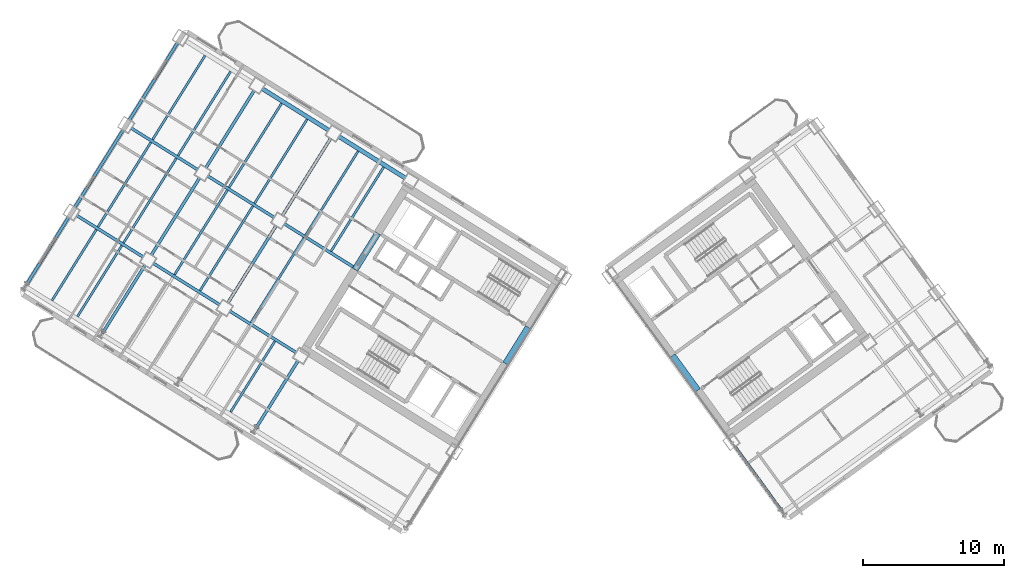
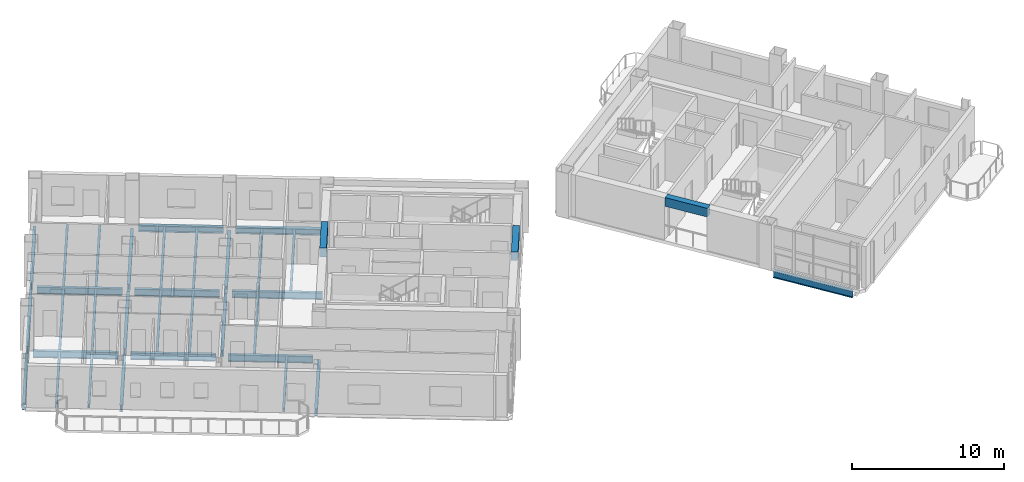
# One storey, part 7 of 18: 35 beams.
"""IFC4 building model written with IfcOpenShell, lengths in metres."""

import ifcopenshell
import ifcopenshell.guid

model = None  # the IFC model being written
_history = None  # IfcOwnerHistory: only IFC2X3 demands one
_inside = {}  # id of a spatial element -> (the spatial element, [elements in it])
_under = {}  # id of a project, library or spatial element -> (it, [spatial elements below it])
_declared = {}  # id of a project -> (the project, [libraries it declares])
_typed = {}  # id of a type object -> (the type object, [elements of that type])
_made_of = {}  # id of a material, layer set ... -> (it, [elements and type objects made of it])


def new_model(schema):
    """Start an empty IFC model of exactly this schema.

    Asked for "IFC4X3", IfcOpenShell would pick the latest addendum, in which some entities
    have other attributes; the version numbers below select the first issue.
    IFC2X3 requires an IfcOwnerHistory on every rooted entity: one is made here for all.
    """
    global model, _history
    if schema == "IFC4X3":
        model = ifcopenshell.file(schema_version=(4, 3, 0, 0))
    else:
        model = ifcopenshell.file(schema=schema)
    _inside.clear()
    _under.clear()
    _declared.clear()
    _typed.clear()
    _made_of.clear()
    _history = None
    if model.schema == "IFC2X3":
        org = make("IfcOrganization", Name="unknown")
        user = make(
            "IfcPersonAndOrganization",
            ThePerson=make("IfcPerson", FamilyName="unknown"),
            TheOrganization=org,
        )
        app = make(
            "IfcApplication",
            ApplicationDeveloper=org,
            Version="unknown",
            ApplicationFullName="unknown",
            ApplicationIdentifier="unknown",
        )
        _history = make(
            "IfcOwnerHistory",
            OwningUser=user,
            OwningApplication=app,
            ChangeAction="ADDED",
            CreationDate=0,
        )
    return model


def make(cls, **values):
    """One entity of the class cls with the attributes given. An attribute that is None is left unset."""
    return model.create_entity(
        cls, **{name: value for name, value in values.items() if value is not None}
    )


def rooted(cls, **values):
    """An entity with a GlobalId (a new one), such as an element, a storey or a relation."""
    return make(cls, GlobalId=ifcopenshell.guid.new(), OwnerHistory=_history, **values)


def si_unit(unit_type, name, prefix=None):
    """IfcSIUnit, for example si_unit("LENGTHUNIT", "METRE", prefix="MILLI")."""
    return make("IfcSIUnit", UnitType=unit_type, Prefix=prefix, Name=name)


def assignment(units):
    """IfcUnitAssignment: the units of a project."""
    return None if units is None else make("IfcUnitAssignment", Units=units)


def point(xyz):
    """IfcCartesianPoint."""
    return None if xyz is None else make("IfcCartesianPoint", Coordinates=xyz)


def direction(xyz):
    """IfcDirection."""
    return None if xyz is None else make("IfcDirection", DirectionRatios=xyz)


def frame(location, z_axis=None, x_axis=None):
    """IfcAxis2Placement3D, a coordinate frame: its origin and axes. An axis left out is left unset."""
    return make(
        "IfcAxis2Placement3D",
        Location=point(location),
        Axis=direction(z_axis),
        RefDirection=direction(x_axis),
    )


def frame_2d(location, x_axis=None):
    """IfcAxis2Placement2D, a coordinate frame in the plane: its origin and x axis."""
    return make(
        "IfcAxis2Placement2D", Location=point(location), RefDirection=direction(x_axis)
    )


def origin():
    """The frame at (0, 0, 0) with its axes left unset."""
    return frame((0.0, 0.0, 0.0))


def origin_2d():
    """The frame at (0, 0) in the plane with its x axis left unset."""
    return frame_2d((0.0, 0.0))


def place(relative_to, where):
    """IfcLocalPlacement: puts the frame where relative to a parent placement (None: the world)."""
    return make(
        "IfcLocalPlacement", PlacementRelTo=relative_to, RelativePlacement=where
    )


def context(
    kind, dimensions, precision=None, world=None, true_north=None, identifier=None
):
    """IfcGeometricRepresentationContext, for example the 3D "Model" context."""
    return make(
        "IfcGeometricRepresentationContext",
        ContextIdentifier=identifier,
        ContextType=kind,
        CoordinateSpaceDimension=dimensions,
        Precision=precision,
        WorldCoordinateSystem=world,
        TrueNorth=true_north,
    )


def subcontext(parent, identifier, kind, view, scale=None):
    """IfcGeometricRepresentationSubContext, for example "Body" below "Model"."""
    return make(
        "IfcGeometricRepresentationSubContext",
        ContextIdentifier=identifier,
        ContextType=kind,
        ParentContext=parent,
        TargetScale=scale,
        TargetView=view,
    )


def project(units=None, contexts=None):
    """IfcProject with its units and contexts."""
    return rooted(
        "IfcProject",
        Name="project",
        RepresentationContexts=contexts,
        UnitsInContext=assignment(units),
    )


def spatial(cls, under=None, at=None, **own):
    """A site, building, storey or space (cls), placed at a placement, below another one or the project."""
    s = rooted(cls, ObjectPlacement=at, **own)
    if under is not None:
        _under.setdefault(under.id(), (under, []))[1].append(s)
    return s


def profile(cls, at=None, kind="AREA", **sizes):
    """A parametric profile (cls). Its sizes go by their IFC names, for example OverallWidth=200.0."""
    return make(cls, ProfileType=kind, Position=at, **sizes)


def rectangle(**sizes):
    """IfcRectangleProfileDef."""
    return profile("IfcRectangleProfileDef", **sizes)


def i_section(**sizes):
    """IfcIShapeProfileDef."""
    return profile("IfcIShapeProfileDef", **sizes)


def extrude(swept, where, along, depth):
    """IfcExtrudedAreaSolid: the profile swept, set in the frame where, extruded along a direction by depth."""
    return make(
        "IfcExtrudedAreaSolid",
        SweptArea=swept,
        Position=where,
        ExtrudedDirection=direction(along),
        Depth=depth,
    )


def shape(context_of_items, identifier, shape_type, items):
    """IfcShapeRepresentation: the items that make up one representation, for example the "Body"."""
    return make(
        "IfcShapeRepresentation",
        ContextOfItems=context_of_items,
        RepresentationIdentifier=identifier,
        RepresentationType=shape_type,
        Items=items,
    )


def source(mapping_origin, context_of_items, identifier, shape_type, items):
    """IfcRepresentationMap: a shape defined once, which mapped items show again and again."""
    return make(
        "IfcRepresentationMap",
        MappingOrigin=mapping_origin,
        MappedRepresentation=shape(context_of_items, identifier, shape_type, items),
    )


def transform(
    local_origin,
    x_axis=None,
    y_axis=None,
    z_axis=None,
    scale=None,
    scale2=None,
    scale3=None,
    uniform=True,
):
    """IfcCartesianTransformationOperator3D, or its non-uniform kind. x_axis, y_axis, z_axis: its Axis1, 2, 3."""
    if uniform:
        return make(
            "IfcCartesianTransformationOperator3D",
            Axis1=direction(x_axis),
            Axis2=direction(y_axis),
            LocalOrigin=point(local_origin),
            Scale=scale,
            Axis3=direction(z_axis),
        )
    return make(
        "IfcCartesianTransformationOperator3DnonUniform",
        Axis1=direction(x_axis),
        Axis2=direction(y_axis),
        LocalOrigin=point(local_origin),
        Scale=scale,
        Axis3=direction(z_axis),
        Scale2=scale2,
        Scale3=scale3,
    )


def mapped(mapping_source, mapping_target):
    """IfcMappedItem: shows the shape of a source again, moved by a transform."""
    return make(
        "IfcMappedItem", MappingSource=mapping_source, MappingTarget=mapping_target
    )


def material(Name=None, Category=None):
    """IfcMaterial."""
    return make("IfcMaterial", Name=Name, Category=Category)


def material_profile(
    of_material, cross_section, Name=None, Category=None, Priority=None
):
    """IfcMaterialProfile: a cross section and its material."""
    return make(
        "IfcMaterialProfile",
        Name=Name,
        Material=of_material,
        Profile=cross_section,
        Priority=Priority,
        Category=Category,
    )


def profile_set(profiles, Name=None, composite=None):
    """IfcMaterialProfileSet."""
    return make(
        "IfcMaterialProfileSet",
        Name=Name,
        MaterialProfiles=profiles,
        CompositeProfile=composite,
    )


def made_of(thing, what):
    """Note that an element or type object is made of a material, layer set ...; save() writes the relation."""
    if what is not None:
        _made_of.setdefault(what.id(), (what, []))[1].append(thing)
    return thing


def type_object(cls, material=None, **own):
    """A type object (cls), such as IfcWallType, which elements share."""
    return made_of(rooted(cls, **own), material)


def element(
    cls,
    number,
    at=None,
    inside=None,
    cuts=None,
    type_object=None,
    material=None,
    context=None,
    identifier="Body",
    shape_type=None,
    held_by="IfcProductDefinitionShape",
    body=None,
    shapes=None,
    **own,
):
    """One element of the class cls, such as IfcWall. Its Tag is "e" and its number.

    at: its placement. inside: the storey or other place that contains it. cuts: it is an
    opening in that element (IfcRelVoidsElement). A single representation is given by context,
    identifier, shape_type and body (its items); several are given by shapes. held_by: the class
    of the entity that holds the representations. save() writes the other relations.
    """
    e = rooted(cls, Tag="e%d" % number, ObjectPlacement=at, **own)
    if body is not None:
        shapes = [shape(context, identifier, shape_type, body)]
    if shapes is not None:
        e.Representation = make(held_by, Representations=shapes)
    if inside is not None:
        _inside.setdefault(inside.id(), (inside, []))[1].append(e)
    if cuts is not None:
        rooted(
            "IfcRelVoidsElement", RelatingBuildingElement=cuts, RelatedOpeningElement=e
        )
    if type_object is not None:
        _typed.setdefault(type_object.id(), (type_object, []))[1].append(e)
    return made_of(e, material)


def aggregate(whole, parts):
    """IfcRelAggregates: a whole, such as a stair, and the parts it consists of."""
    return rooted("IfcRelAggregates", RelatingObject=whole, RelatedObjects=parts)


def save(model, path):
    """Write the relations noted so far, then the file.

    IfcRelAggregates (storeys below a building ...), IfcRelContainedInSpatialStructure (elements
    in a storey), IfcRelDefinesByType, IfcRelAssociatesMaterial and IfcRelDeclares: one each for
    every whole, place, type object, material and project.
    """
    for whole, parts in _under.values():
        aggregate(whole, parts)
    for where, things in _inside.values():
        rooted(
            "IfcRelContainedInSpatialStructure",
            RelatedElements=things,
            RelatingStructure=where,
        )
    for kind, things in _typed.values():
        rooted("IfcRelDefinesByType", RelatedObjects=things, RelatingType=kind)
    for what, things in _made_of.values():
        rooted("IfcRelAssociatesMaterial", RelatedObjects=things, RelatingMaterial=what)
    for by, libraries in _declared.values():
        rooted("IfcRelDeclares", RelatingContext=by, RelatedDefinitions=libraries)
    model.write(path)


model = new_model("IFC4")

# Units and contexts
model_context = context("Model", 3, precision=1e-05, world=origin(), true_north=direction((0.0, 1.0)))
body_context = subcontext(model_context, "Body", "Model", "MODEL_VIEW")
ifc_project = project(units=[si_unit("LENGTHUNIT", "METRE"), si_unit("AREAUNIT", "SQUARE_METRE"), si_unit("VOLUMEUNIT", "CUBIC_METRE"), si_unit("PLANEANGLEUNIT", "RADIAN"), si_unit("MASSUNIT", "GRAM", prefix="KILO")], contexts=[model_context])

# Site, building, storey
site_placement = place(None, origin())
site = spatial("IfcSite", under=ifc_project, at=site_placement, CompositionType="ELEMENT")
building_placement = place(site_placement, origin())
building = spatial("IfcBuilding", under=site, at=building_placement, Name="Tlacorven Tower", CompositionType="ELEMENT")
storey_placement = place(building_placement, frame((0.0, 0.0, 140.699951171875)))
storey = spatial("IfcBuildingStorey", under=building, at=storey_placement, Name="L35", CompositionType="ELEMENT", Elevation=140.699951171875)

# Beams
ifc_material_1 = material(Name="Concrete C60/75", Category="concrete")
ifc_material_profile_1 = material_profile(ifc_material_1, rectangle(XDim=0.449951171875, YDim=0.699951171875, at=origin_2d()), Name="RC 450X700")
ifc_profile_set_1 = profile_set([ifc_material_profile_1], Name="Concrete C60/75")
beam_type_1 = type_object("IfcBeamType", Name="BM-LNT-700", PredefinedType="LINTEL", material=ifc_profile_set_1)
shared_shape_1 = source(origin(), body_context, "Body", "SweptSolid", [
    extrude(rectangle(XDim=0.449951171875, YDim=0.699951171875, at=origin_2d()), origin(), (0.0, 0.0, 1.0), 3.050048828125),
])
for number, where, z_axis, x_axis, name in (
    (1, (38.2998046875, 20.890625, 3.0), (-0.529984549635, -0.848007297815, 0.0), (0.848007297815, -0.529984549635, 0.0), "L35 W core coupling lintel beam E1"),
    (2, (50.318359375, 16.416015625, 3.0), (-0.587776590479, 0.80902328748, 0.0), (-0.80902328748, -0.587776590479, 0.0), "L35 E core coupling lintel beam E1"),
):
    element("IfcBeam", number, at=place(storey_placement, frame(where, z_axis=z_axis, x_axis=x_axis)), inside=storey, type_object=beam_type_1, Name=name, PredefinedType="LINTEL", context=body_context, shape_type="MappedRepresentation", body=[
        mapped(shared_shape_1, transform((0.0, 0.0, 0.0), scale=1.0)),
    ])
shared_shape_2 = source(origin(), body_context, "Body", "SweptSolid", [
    extrude(rectangle(XDim=0.449951171875, YDim=0.699951171875, at=origin_2d()), origin(), (0.0, 0.0, 1.0), 3.0498046875),
])
beam_1_placement = place(storey_placement, frame((27.622802734375, 27.562255859375, 3.0), z_axis=(-0.529926983584, -0.848043272522, 0.0), x_axis=(0.848043272522, -0.529926983584, 0.0)))
element("IfcBeam", 3, at=beam_1_placement, inside=storey, type_object=beam_type_1, Name="L35 W core coupling lintel beam E2", PredefinedType="LINTEL", context=body_context, shape_type="MappedRepresentation", body=[
    mapped(shared_shape_2, transform((0.0, 0.0, 0.0), scale=1.0)),
])
ifc_material_2 = material(Name="Steel S355J2", Category="steel")
ifc_material_profile_2 = material_profile(ifc_material_2, i_section(OverallWidth=0.2099609375, OverallDepth=0.550048828125, WebThickness=0.010986328125, FlangeThickness=0.01708984375, at=origin_2d()), Name="IPE 550")
ifc_profile_set_2 = profile_set([ifc_material_profile_2], Name="Steel S355J2")
beam_type_2 = type_object("IfcBeamType", Name="BM-TWR-550", PredefinedType="BEAM", material=ifc_profile_set_2)
shared_shape_3 = source(origin(), body_context, "Body", "SweptSolid", [
    extrude(i_section(OverallWidth=0.2099609375, OverallDepth=0.550048828125, WebThickness=0.010986328125, FlangeThickness=0.01708984375, at=origin_2d()), origin(), (0.0, 0.0, 1.0), 5.599853515625),
])
for number, where, z_axis, x_axis, name in (
    (4, (20.292724609375, 28.6640625, -0.52490234375), (-0.848047285686, 0.529920561254, 0.0), (-0.529920561254, -0.848047285686, 0.0), "L35 beam BM-L35-WL2-4"),
    (5, (21.851806640625, 19.081787109375, -0.52490234375), (-0.848047285686, 0.529920561254, 0.0), (-0.529920561254, -0.848047285686, 0.0), "L35 beam BM-L35-WL3-3"),
    (6, (16.42431640625, 22.473388671875, -0.52490234375), (-0.848047285686, 0.529920561254, 0.0), (-0.529920561254, -0.848047285686, 0.0), "L35 beam BM-L35-WL3-4"),
    (7, (10.996826171875, 25.86474609375, -0.52490234375), (-0.848047285686, 0.529920561254, 0.0), (-0.529920561254, -0.848047285686, 0.0), "L35 beam BM-L35-WL3-5"),
):
    element("IfcBeam", number, at=place(storey_placement, frame(where, z_axis=z_axis, x_axis=x_axis)), inside=storey, type_object=beam_type_2, Name=name, PredefinedType="BEAM", context=body_context, shape_type="MappedRepresentation", body=[
        mapped(shared_shape_3, transform((0.0, 0.0, 0.0), scale=1.0)),
    ])
shared_shape_4 = source(origin(), body_context, "Body", "SweptSolid", [
    extrude(i_section(OverallWidth=0.2099609375, OverallDepth=0.550048828125, WebThickness=0.010986328125, FlangeThickness=0.01708984375, at=origin_2d()), origin(), (0.0, 0.0, 1.0), 5.960205078125),
])
beam_2_placement = place(storey_placement, frame((26.025634765625, 25.081787109375, -0.52490234375), z_axis=(-0.848042024898, 0.529928980153, 0.0), x_axis=(-0.529928980153, -0.848042024898, 0.0)))
element("IfcBeam", 8, at=beam_2_placement, inside=storey, type_object=beam_type_2, Name="L35 beam BM-L35-WL2-3", PredefinedType="BEAM", context=body_context, shape_type="MappedRepresentation", body=[
    mapped(shared_shape_4, transform((0.0, 0.0, 0.0), scale=1.0)),
])
shared_shape_5 = source(origin(), body_context, "Body", "SweptSolid", [
    extrude(i_section(OverallWidth=0.2099609375, OverallDepth=0.550048828125, WebThickness=0.010986328125, FlangeThickness=0.01708984375, at=origin_2d()), origin(), (0.0, 0.0, 1.0), 5.60009765625),
])
beam_3_placement = place(storey_placement, frame((14.865234375, 32.055419921875, -0.52490234375), z_axis=(-0.848027693204, 0.529951914384, 0.0), x_axis=(-0.529951914384, -0.848027693204, 0.0)))
element("IfcBeam", 9, at=beam_3_placement, inside=storey, type_object=beam_type_2, Name="L35 beam BM-L35-WL2-5", PredefinedType="BEAM", context=body_context, shape_type="MappedRepresentation", body=[
    mapped(shared_shape_5, transform((0.0, 0.0, 0.0), scale=1.0)),
])
ifc_material_profile_3 = material_profile(ifc_material_2, i_section(OverallWidth=0.300048828125, OverallDepth=0.489990234375, WebThickness=0.011962890625, FlangeThickness=0.02294921875, at=origin_2d()), Name="HEA 500")
ifc_profile_set_3 = profile_set([ifc_material_profile_3], Name="Steel S355J2")
beam_type_3 = type_object("IfcBeamType", Name="BM-SPN-500", PredefinedType="SPANDREL", material=ifc_profile_set_3)
shared_shape_6 = source(origin(), body_context, "Body", "SweptSolid", [
    extrude(i_section(OverallWidth=0.300048828125, OverallDepth=0.489990234375, WebThickness=0.011962890625, FlangeThickness=0.02294921875, at=origin_2d()), origin(), (0.0, 0.0, 1.0), 5.599853515625),
])
for number, where, z_axis, x_axis, name in (
    (10, (29.588623046875, 31.46337890625, -0.494873046875), (-0.848047285686, 0.529920561254, 0.0), (-0.529920561254, -0.848047285686, 0.0), "L35 beam BM-L35-WL1-3"),
    (11, (24.1611328125, 34.854736328125, -0.494873046875), (-0.848047285686, 0.529920561254, 0.0), (-0.529920561254, -0.848047285686, 0.0), "L35 beam BM-L35-WL1-4"),
):
    element("IfcBeam", number, at=place(storey_placement, frame(where, z_axis=z_axis, x_axis=x_axis)), inside=storey, type_object=beam_type_3, Name=name, PredefinedType="SPANDREL", context=body_context, shape_type="MappedRepresentation", body=[
        mapped(shared_shape_6, transform((0.0, 0.0, 0.0), scale=1.0)),
    ])
shared_shape_7 = source(origin(), body_context, "Body", "SweptSolid", [
    extrude(i_section(OverallWidth=0.2099609375, OverallDepth=0.550048828125, WebThickness=0.010986328125, FlangeThickness=0.01708984375, at=origin_2d()), origin(), (0.0, 0.0, 1.0), 5.7001953125),
])
for number, where, z_axis, x_axis, name in (
    (12, (11.1240234375, 25.313720703125, -0.52490234375), (-0.529906537151, -0.848056048787, 0.0), (0.848056048787, -0.529906537151, 0.0), "L35 beam BM-L35-WT5-3"),
    (13, (5.696533203125, 28.705078125, -0.52490234375), (-0.529906537151, -0.848056048787, 0.0), (0.848056048787, -0.529906537151, 0.0), "L35 beam BM-L35-WT6-3"),
):
    element("IfcBeam", number, at=place(storey_placement, frame(where, z_axis=z_axis, x_axis=x_axis)), inside=storey, type_object=beam_type_2, Name=name, PredefinedType="BEAM", context=body_context, shape_type="MappedRepresentation", body=[
        mapped(shared_shape_7, transform((0.0, 0.0, 0.0), scale=1.0)),
    ])
shared_shape_8 = source(origin(), body_context, "Body", "SweptSolid", [
    extrude(i_section(OverallWidth=0.2099609375, OverallDepth=0.550048828125, WebThickness=0.010986328125, FlangeThickness=0.01708984375, at=origin_2d()), origin(), (0.0, 0.0, 1.0), 5.699951171875),
])
for number, where, z_axis, x_axis, name in (
    (14, (21.979248046875, 18.530517578125, -0.52490234375), (-0.5299565889, -0.848024771974, 0.0), (0.848024771974, -0.5299565889, 0.0), "L35 beam BM-L35-WT3-2"),
    (15, (56.291015625, 7.83837890625, -0.52490234375), (-0.587815099892, 0.808995307983, 0.0), (-0.808995307983, -0.587815099892, 0.0), "L35 beam BM-L35-ET1-1"),
):
    element("IfcBeam", number, at=place(storey_placement, frame(where, z_axis=z_axis, x_axis=x_axis)), inside=storey, type_object=beam_type_2, Name=name, PredefinedType="BEAM", context=body_context, shape_type="MappedRepresentation", body=[
        mapped(shared_shape_8, transform((0.0, 0.0, 0.0), scale=1.0)),
    ])
shared_shape_9 = source(origin(), body_context, "Body", "SweptSolid", [
    extrude(i_section(OverallWidth=0.2099609375, OverallDepth=0.550048828125, WebThickness=0.010986328125, FlangeThickness=0.01708984375, at=origin_2d()), origin(), (0.0, 0.0, 1.0), 6.500244140625),
])
beam_4_placement = place(storey_placement, frame((24.28857421875, 34.3037109375, -0.52490234375), z_axis=(-0.529921287515, -0.848046831866, 0.0), x_axis=(0.848046831866, -0.529921287515, 0.0)))
element("IfcBeam", 16, at=beam_4_placement, inside=storey, type_object=beam_type_2, Name="L35 beam BM-L35-WT4-1", PredefinedType="BEAM", context=body_context, shape_type="MappedRepresentation", body=[
    mapped(shared_shape_9, transform((0.0, 0.0, 0.0), scale=1.0)),
])
shared_shape_10 = source(origin(), body_context, "Body", "SweptSolid", [
    extrude(i_section(OverallWidth=0.2099609375, OverallDepth=0.550048828125, WebThickness=0.010986328125, FlangeThickness=0.01708984375, at=origin_2d()), origin(), (0.0, 0.0, 1.0), 6.5),
])
for number, where, z_axis, x_axis, name in (
    (17, (20.420166015625, 28.11279296875, -0.52490234375), (-0.529938166933, -0.848036284146, 0.0), (0.848036284146, -0.529938166933, 0.0), "L35 beam BM-L35-WT4-2"),
    (18, (14.992431640625, 31.50439453125, -0.52490234375), (-0.529894274829, -0.848063710757, 0.0), (0.848063710757, -0.529894274829, 0.0), "L35 beam BM-L35-WT5-2"),
    (19, (13.433349609375, 41.086669921875, -0.52490234375), (-0.529894274829, -0.848063710757, 0.0), (0.848063710757, -0.529894274829, 0.0), "L35 beam BM-L35-WT6-1"),
):
    element("IfcBeam", number, at=place(storey_placement, frame(where, z_axis=z_axis, x_axis=x_axis)), inside=storey, type_object=beam_type_2, Name=name, PredefinedType="BEAM", context=body_context, shape_type="MappedRepresentation", body=[
        mapped(shared_shape_10, transform((0.0, 0.0, 0.0), scale=1.0)),
    ])
shared_shape_11 = source(origin(), body_context, "Body", "SweptSolid", [
    extrude(i_section(OverallWidth=0.2099609375, OverallDepth=0.550048828125, WebThickness=0.010986328125, FlangeThickness=0.01708984375, at=origin_2d()), origin(), (0.0, 0.0, 1.0), 6.499755859375),
])
for number, where, z_axis, x_axis, name in (
    (20, (18.86083984375, 37.695068359375, -0.52490234375), (-0.529911154058, -0.848053163902, 0.0), (0.848053163902, -0.529911154058, 0.0), "L35 beam BM-L35-WT5-1"),
    (21, (9.56494140625, 34.895751953125, -0.52490234375), (-0.529911154058, -0.848053163902, 0.0), (0.848053163902, -0.529911154058, 0.0), "L35 beam BM-L35-WT6-2"),
):
    element("IfcBeam", number, at=place(storey_placement, frame(where, z_axis=z_axis, x_axis=x_axis)), inside=storey, type_object=beam_type_2, Name=name, PredefinedType="BEAM", context=body_context, shape_type="MappedRepresentation", body=[
        mapped(shared_shape_11, transform((0.0, 0.0, 0.0), scale=1.0)),
    ])
ifc_material_profile_4 = material_profile(ifc_material_2, i_section(OverallWidth=0.159912109375, OverallDepth=0.330078125, WebThickness=0.007568359375, FlangeThickness=0.011474609375, at=origin_2d()), Name="IPE 330")
ifc_profile_set_4 = profile_set([ifc_material_profile_4], Name="Steel S355J2")
beam_type_4 = type_object("IfcBeamType", Name="BM-JST-330", PredefinedType="JOIST", material=ifc_profile_set_4)
shared_shape_12 = source(origin(), body_context, "Body", "SweptSolid", [
    extrude(i_section(OverallWidth=0.159912109375, OverallDepth=0.330078125, WebThickness=0.007568359375, FlangeThickness=0.011474609375, at=origin_2d()), origin(), (0.0, 0.0, 1.0), 5.93505859375),
])
for number, where, z_axis, x_axis, name in (
    (22, (20.32373046875, 19.906982421875, -0.4150390625), (-0.529910194899, -0.848053763238, 0.0), (0.848053763238, -0.529910194899, 0.0), "L35 beam BM-L35-WJ3-3-1"),
    (23, (9.46875, 26.68994140625, -0.4150390625), (-0.529939778535, -0.848035277053, 0.0), (0.848035277053, -0.529939778535, 0.0), "L35 beam BM-L35-WJ5-3-1"),
    (24, (7.659423828125, 27.820556640625, -0.4150390625), (-0.529910194899, -0.848053763238, 0.0), (0.848053763238, -0.529910194899, 0.0), "L35 beam BM-L35-WJ5-3-2"),
):
    element("IfcBeam", number, at=place(storey_placement, frame(where, z_axis=z_axis, x_axis=x_axis)), inside=storey, type_object=beam_type_4, Name=name, PredefinedType="JOIST", context=body_context, shape_type="MappedRepresentation", body=[
        mapped(shared_shape_12, transform((0.0, 0.0, 0.0), scale=1.0)),
    ])
shared_shape_13 = source(origin(), body_context, "Body", "SweptSolid", [
    extrude(i_section(OverallWidth=0.159912109375, OverallDepth=0.330078125, WebThickness=0.007568359375, FlangeThickness=0.011474609375, at=origin_2d()), origin(), (0.0, 0.0, 1.0), 7.080078125),
])
beam_5_placement = place(storey_placement, frame((18.7646484375, 29.4892578125, -0.4150390625), z_axis=(-0.529933847046, -0.848038983629, 0.0), x_axis=(0.848038983629, -0.529933847046, 0.0)))
element("IfcBeam", 25, at=beam_5_placement, inside=storey, type_object=beam_type_4, Name="L35 beam BM-L35-WJ4-2-1", PredefinedType="JOIST", context=body_context, shape_type="MappedRepresentation", body=[
    mapped(shared_shape_13, transform((0.0, 0.0, 0.0), scale=1.0)),
])
shared_shape_14 = source(origin(), body_context, "Body", "SweptSolid", [
    extrude(i_section(OverallWidth=0.159912109375, OverallDepth=0.330078125, WebThickness=0.007568359375, FlangeThickness=0.011474609375, at=origin_2d()), origin(), (0.0, 0.0, 1.0), 7.03515625),
])
for number, where, z_axis, x_axis, name in (
    (26, (28.03662109375, 32.25048828125, -0.4150390625), (-0.529920952588, -0.848047041153, 0.0), (0.848047041153, -0.529920952588, 0.0), "L35 beam BM-L35-WJ3-1-1"),
    (27, (26.2275390625, 33.380859375, -0.4150390625), (-0.529920952588, -0.848047041153, 0.0), (0.848047041153, -0.529920952588, 0.0), "L35 beam BM-L35-WJ3-1-2"),
    (28, (22.609130859375, 35.641845703125, -0.4150390625), (-0.529920952588, -0.848047041153, 0.0), (0.848047041153, -0.529920952588, 0.0), "L35 beam BM-L35-WJ4-1-1"),
    (29, (20.800048828125, 36.7724609375, -0.4150390625), (-0.529920952588, -0.848047041153, 0.0), (0.848047041153, -0.529920952588, 0.0), "L35 beam BM-L35-WJ4-1-2"),
    (30, (17.181640625, 39.033447265625, -0.4150390625), (-0.529920952588, -0.848047041153, 0.0), (0.848047041153, -0.529920952588, 0.0), "L35 beam BM-L35-WJ5-1-1"),
):
    element("IfcBeam", number, at=place(storey_placement, frame(where, z_axis=z_axis, x_axis=x_axis)), inside=storey, type_object=beam_type_4, Name=name, PredefinedType="JOIST", context=body_context, shape_type="MappedRepresentation", body=[
        mapped(shared_shape_14, transform((0.0, 0.0, 0.0), scale=1.0)),
    ])
shared_shape_15 = source(origin(), body_context, "Body", "SweptSolid", [
    extrude(i_section(OverallWidth=0.159912109375, OverallDepth=0.330078125, WebThickness=0.007568359375, FlangeThickness=0.011474609375, at=origin_2d()), origin(), (0.0, 0.0, 1.0), 7.079833984375),
])
for number, where, z_axis, x_axis, name in (
    (31, (22.3828125, 27.228271484375, -0.4150390625), (-0.529909047265, -0.848054480341, 0.0), (0.848054480341, -0.529909047265, 0.0), "L35 beam BM-L35-WJ3-2-2"),
    (32, (16.955322265625, 30.619873046875, -0.4150390625), (-0.529909047265, -0.848054480341, 0.0), (0.848054480341, -0.529909047265, 0.0), "L35 beam BM-L35-WJ4-2-2"),
    (33, (11.52783203125, 34.01123046875, -0.4150390625), (-0.529909047265, -0.848054480341, 0.0), (0.848054480341, -0.529909047265, 0.0), "L35 beam BM-L35-WJ5-2-2"),
):
    element("IfcBeam", number, at=place(storey_placement, frame(where, z_axis=z_axis, x_axis=x_axis)), inside=storey, type_object=beam_type_4, Name=name, PredefinedType="JOIST", context=body_context, shape_type="MappedRepresentation", body=[
        mapped(shared_shape_15, transform((0.0, 0.0, 0.0), scale=1.0)),
    ])
shared_shape_16 = source(origin(), body_context, "Body", "SweptSolid", [
    extrude(i_section(OverallWidth=0.159912109375, OverallDepth=0.330078125, WebThickness=0.007568359375, FlangeThickness=0.011474609375, at=origin_2d()), origin(), (0.0, 0.0, 1.0), 7.034912109375),
])
beam_6_placement = place(storey_placement, frame((15.372314453125, 40.163818359375, -0.4150390625), z_axis=(-0.529895993776, -0.848062636708, 0.0), x_axis=(0.848062636708, -0.529895993776, 0.0)))
element("IfcBeam", 34, at=beam_6_placement, inside=storey, type_object=beam_type_4, Name="L35 beam BM-L35-WJ5-1-2", PredefinedType="JOIST", context=body_context, shape_type="MappedRepresentation", body=[
    mapped(shared_shape_16, transform((0.0, 0.0, 0.0), scale=1.0)),
])
shared_shape_17 = source(origin(), body_context, "Body", "SweptSolid", [
    extrude(i_section(OverallWidth=0.159912109375, OverallDepth=0.330078125, WebThickness=0.007568359375, FlangeThickness=0.011474609375, at=origin_2d()), origin(), (0.0, 0.0, 1.0), 7.080322265625),
])
beam_7_placement = place(storey_placement, frame((13.337158203125, 32.880859375, -0.4150390625), z_axis=(-0.52991835062, -0.848048667045, 0.0), x_axis=(0.848048667045, -0.52991835062, 0.0)))
element("IfcBeam", 35, at=beam_7_placement, inside=storey, type_object=beam_type_4, Name="L35 beam BM-L35-WJ5-2-1", PredefinedType="JOIST", context=body_context, shape_type="MappedRepresentation", body=[
    mapped(shared_shape_17, transform((0.0, 0.0, 0.0), scale=1.0)),
])

save(model, "model.ifc")
